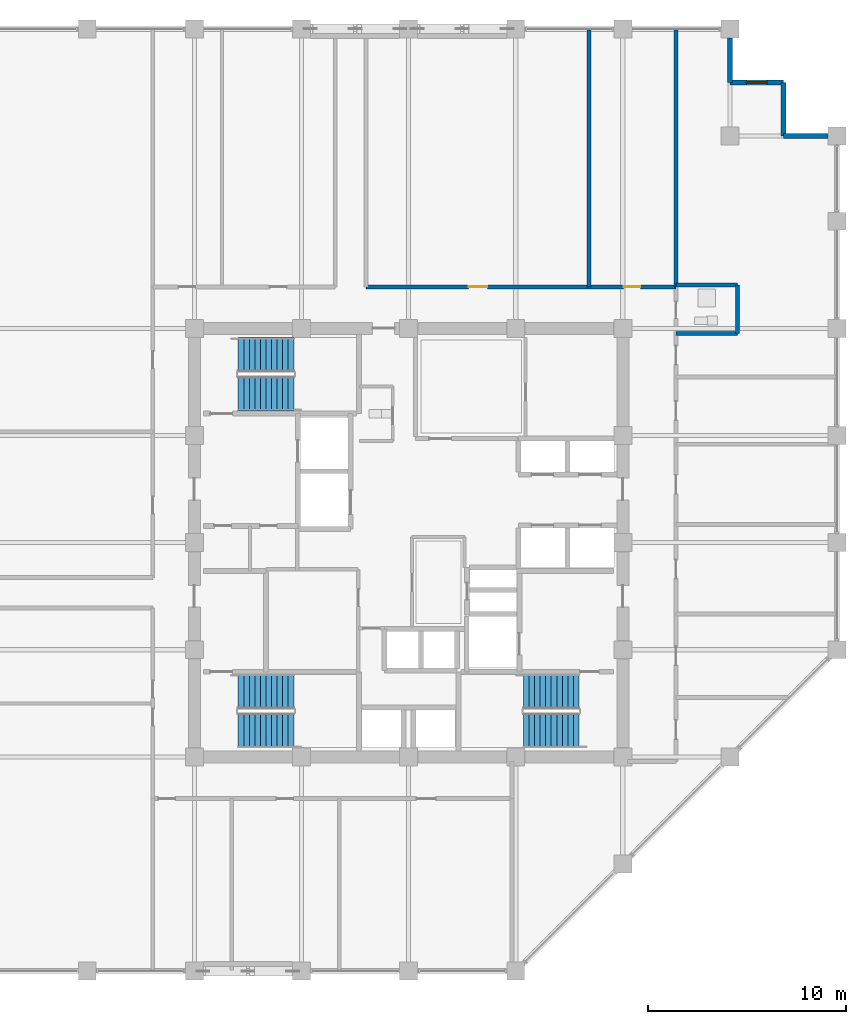
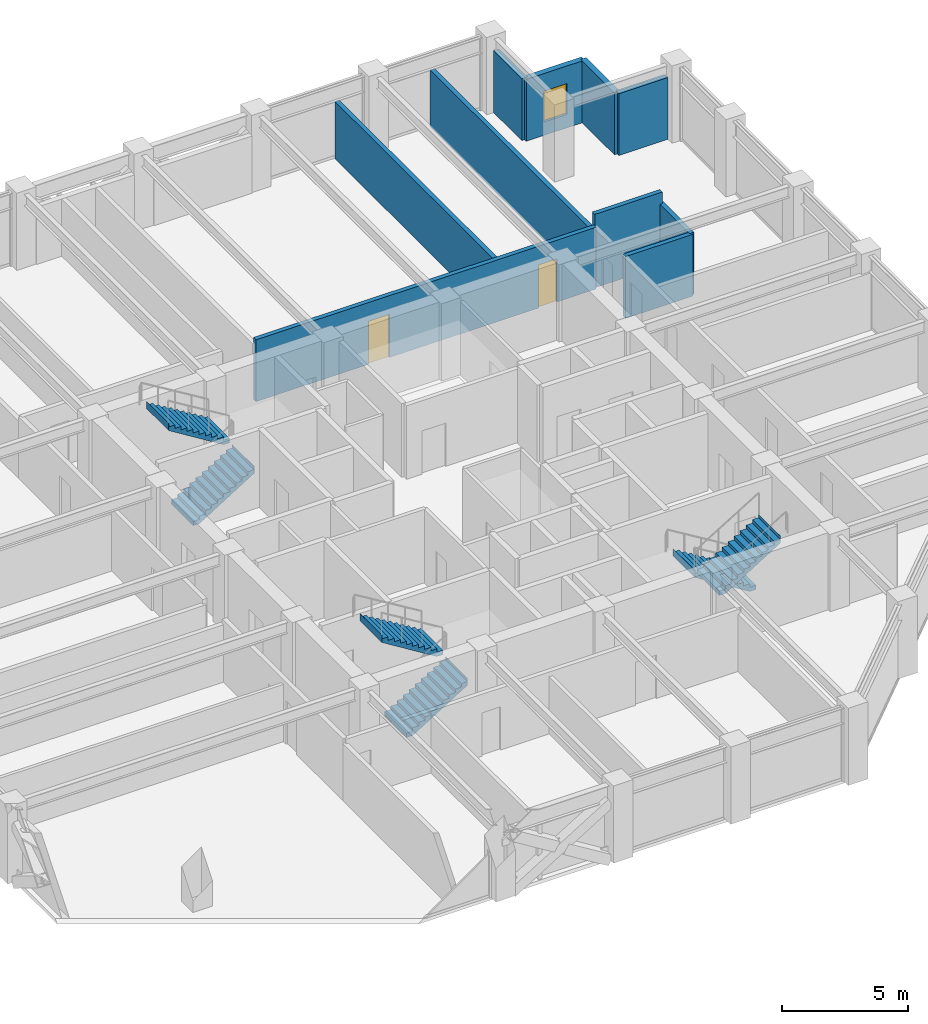
# One storey, part 30 of 32: 10 walls, 6 stair flights, 2 doors, 1 window, 3 openings, 3 elements without a shape of their own.
"""IFC4 building model written with IfcOpenShell, lengths in metres."""

import ifcopenshell
import ifcopenshell.guid

model = None  # the IFC model being written
_history = None  # IfcOwnerHistory: only IFC2X3 demands one
_inside = {}  # id of a spatial element -> (the spatial element, [elements in it])
_under = {}  # id of a project, library or spatial element -> (it, [spatial elements below it])
_declared = {}  # id of a project -> (the project, [libraries it declares])
_typed = {}  # id of a type object -> (the type object, [elements of that type])
_made_of = {}  # id of a material, layer set ... -> (it, [elements and type objects made of it])


def new_model(schema):
    """Start an empty IFC model of exactly this schema.

    Asked for "IFC4X3", IfcOpenShell would pick the latest addendum, in which some entities
    have other attributes; the version numbers below select the first issue.
    IFC2X3 requires an IfcOwnerHistory on every rooted entity: one is made here for all.
    """
    global model, _history
    if schema == "IFC4X3":
        model = ifcopenshell.file(schema_version=(4, 3, 0, 0))
    else:
        model = ifcopenshell.file(schema=schema)
    _inside.clear()
    _under.clear()
    _declared.clear()
    _typed.clear()
    _made_of.clear()
    _history = None
    if model.schema == "IFC2X3":
        org = make("IfcOrganization", Name="unknown")
        user = make(
            "IfcPersonAndOrganization",
            ThePerson=make("IfcPerson", FamilyName="unknown"),
            TheOrganization=org,
        )
        app = make(
            "IfcApplication",
            ApplicationDeveloper=org,
            Version="unknown",
            ApplicationFullName="unknown",
            ApplicationIdentifier="unknown",
        )
        _history = make(
            "IfcOwnerHistory",
            OwningUser=user,
            OwningApplication=app,
            ChangeAction="ADDED",
            CreationDate=0,
        )
    return model


def make(cls, **values):
    """One entity of the class cls with the attributes given. An attribute that is None is left unset."""
    return model.create_entity(
        cls, **{name: value for name, value in values.items() if value is not None}
    )


def rooted(cls, **values):
    """An entity with a GlobalId (a new one), such as an element, a storey or a relation."""
    return make(cls, GlobalId=ifcopenshell.guid.new(), OwnerHistory=_history, **values)


def si_unit(unit_type, name, prefix=None):
    """IfcSIUnit, for example si_unit("LENGTHUNIT", "METRE", prefix="MILLI")."""
    return make("IfcSIUnit", UnitType=unit_type, Prefix=prefix, Name=name)


def assignment(units):
    """IfcUnitAssignment: the units of a project."""
    return None if units is None else make("IfcUnitAssignment", Units=units)


def point(xyz):
    """IfcCartesianPoint."""
    return None if xyz is None else make("IfcCartesianPoint", Coordinates=xyz)


def direction(xyz):
    """IfcDirection."""
    return None if xyz is None else make("IfcDirection", DirectionRatios=xyz)


def frame(location, z_axis=None, x_axis=None):
    """IfcAxis2Placement3D, a coordinate frame: its origin and axes. An axis left out is left unset."""
    return make(
        "IfcAxis2Placement3D",
        Location=point(location),
        Axis=direction(z_axis),
        RefDirection=direction(x_axis),
    )


def frame_2d(location, x_axis=None):
    """IfcAxis2Placement2D, a coordinate frame in the plane: its origin and x axis."""
    return make(
        "IfcAxis2Placement2D", Location=point(location), RefDirection=direction(x_axis)
    )


def origin():
    """The frame at (0, 0, 0) with its axes left unset."""
    return frame((0.0, 0.0, 0.0))


def place(relative_to, where):
    """IfcLocalPlacement: puts the frame where relative to a parent placement (None: the world)."""
    return make(
        "IfcLocalPlacement", PlacementRelTo=relative_to, RelativePlacement=where
    )


def context(
    kind, dimensions, precision=None, world=None, true_north=None, identifier=None
):
    """IfcGeometricRepresentationContext, for example the 3D "Model" context."""
    return make(
        "IfcGeometricRepresentationContext",
        ContextIdentifier=identifier,
        ContextType=kind,
        CoordinateSpaceDimension=dimensions,
        Precision=precision,
        WorldCoordinateSystem=world,
        TrueNorth=true_north,
    )


def subcontext(parent, identifier, kind, view, scale=None):
    """IfcGeometricRepresentationSubContext, for example "Body" below "Model"."""
    return make(
        "IfcGeometricRepresentationSubContext",
        ContextIdentifier=identifier,
        ContextType=kind,
        ParentContext=parent,
        TargetScale=scale,
        TargetView=view,
    )


def project(units=None, contexts=None):
    """IfcProject with its units and contexts."""
    return rooted(
        "IfcProject",
        Name="project",
        RepresentationContexts=contexts,
        UnitsInContext=assignment(units),
    )


def spatial(cls, under=None, at=None, **own):
    """A site, building, storey or space (cls), placed at a placement, below another one or the project."""
    s = rooted(cls, ObjectPlacement=at, **own)
    if under is not None:
        _under.setdefault(under.id(), (under, []))[1].append(s)
    return s


def polyline(points):
    """IfcPolyline through the points."""
    return make("IfcPolyline", Points=[point(p) for p in points])


def profile(cls, at=None, kind="AREA", **sizes):
    """A parametric profile (cls). Its sizes go by their IFC names, for example OverallWidth=200.0."""
    return make(cls, ProfileType=kind, Position=at, **sizes)


def rectangle(**sizes):
    """IfcRectangleProfileDef."""
    return profile("IfcRectangleProfileDef", **sizes)


def outline(outer, holes=None, kind="AREA"):
    """IfcArbitraryClosedProfileDef: a profile drawn as a closed curve; with holes, ...WithVoids."""
    if holes is None:
        return make("IfcArbitraryClosedProfileDef", ProfileType=kind, OuterCurve=outer)
    return make(
        "IfcArbitraryProfileDefWithVoids",
        ProfileType=kind,
        OuterCurve=outer,
        InnerCurves=holes,
    )


def extrude(swept, where, along, depth):
    """IfcExtrudedAreaSolid: the profile swept, set in the frame where, extruded along a direction by depth."""
    return make(
        "IfcExtrudedAreaSolid",
        SweptArea=swept,
        Position=where,
        ExtrudedDirection=direction(along),
        Depth=depth,
    )


def shape(context_of_items, identifier, shape_type, items):
    """IfcShapeRepresentation: the items that make up one representation, for example the "Body"."""
    return make(
        "IfcShapeRepresentation",
        ContextOfItems=context_of_items,
        RepresentationIdentifier=identifier,
        RepresentationType=shape_type,
        Items=items,
    )


def material(Name=None, Category=None):
    """IfcMaterial."""
    return make("IfcMaterial", Name=Name, Category=Category)


def layer(
    of_material, thickness, ventilated=None, Name=None, Category=None, Priority=None
):
    """IfcMaterialLayer: one layer of a wall or slab, of a material (None: an air gap)."""
    return make(
        "IfcMaterialLayer",
        Material=of_material,
        LayerThickness=thickness,
        IsVentilated=ventilated,
        Name=Name,
        Category=Category,
        Priority=Priority,
    )


def layer_set(layers, Name=None):
    """IfcMaterialLayerSet."""
    return make("IfcMaterialLayerSet", MaterialLayers=layers, LayerSetName=Name)


def made_of(thing, what):
    """Note that an element or type object is made of a material, layer set ...; save() writes the relation."""
    if what is not None:
        _made_of.setdefault(what.id(), (what, []))[1].append(thing)
    return thing


def type_object(cls, material=None, **own):
    """A type object (cls), such as IfcWallType, which elements share."""
    return made_of(rooted(cls, **own), material)


def element(
    cls,
    number,
    at=None,
    inside=None,
    cuts=None,
    type_object=None,
    material=None,
    context=None,
    identifier="Body",
    shape_type=None,
    held_by="IfcProductDefinitionShape",
    body=None,
    shapes=None,
    **own,
):
    """One element of the class cls, such as IfcWall. Its Tag is "e" and its number.

    at: its placement. inside: the storey or other place that contains it. cuts: it is an
    opening in that element (IfcRelVoidsElement). A single representation is given by context,
    identifier, shape_type and body (its items); several are given by shapes. held_by: the class
    of the entity that holds the representations. save() writes the other relations.
    """
    e = rooted(cls, Tag="e%d" % number, ObjectPlacement=at, **own)
    if body is not None:
        shapes = [shape(context, identifier, shape_type, body)]
    if shapes is not None:
        e.Representation = make(held_by, Representations=shapes)
    if inside is not None:
        _inside.setdefault(inside.id(), (inside, []))[1].append(e)
    if cuts is not None:
        rooted(
            "IfcRelVoidsElement", RelatingBuildingElement=cuts, RelatedOpeningElement=e
        )
    if type_object is not None:
        _typed.setdefault(type_object.id(), (type_object, []))[1].append(e)
    return made_of(e, material)


def fill(opening, filler):
    """IfcRelFillsElement: the door or window that sits in an opening."""
    return rooted(
        "IfcRelFillsElement",
        RelatingOpeningElement=opening,
        RelatedBuildingElement=filler,
    )


def aggregate(whole, parts):
    """IfcRelAggregates: a whole, such as a stair, and the parts it consists of."""
    return rooted("IfcRelAggregates", RelatingObject=whole, RelatedObjects=parts)


def save(model, path):
    """Write the relations noted so far, then the file.

    IfcRelAggregates (storeys below a building ...), IfcRelContainedInSpatialStructure (elements
    in a storey), IfcRelDefinesByType, IfcRelAssociatesMaterial and IfcRelDeclares: one each for
    every whole, place, type object, material and project.
    """
    for whole, parts in _under.values():
        aggregate(whole, parts)
    for where, things in _inside.values():
        rooted(
            "IfcRelContainedInSpatialStructure",
            RelatedElements=things,
            RelatingStructure=where,
        )
    for kind, things in _typed.values():
        rooted("IfcRelDefinesByType", RelatedObjects=things, RelatingType=kind)
    for what, things in _made_of.values():
        rooted("IfcRelAssociatesMaterial", RelatedObjects=things, RelatingMaterial=what)
    for by, libraries in _declared.values():
        rooted("IfcRelDeclares", RelatingContext=by, RelatedDefinitions=libraries)
    model.write(path)


model = new_model("IFC4")

# Units and contexts
model_context = context("Model", 3, precision=1e-05, world=origin(), true_north=direction((0.0, 1.0)))
body_context = subcontext(model_context, "Body", "Model", "MODEL_VIEW")
ifc_project = project(units=[si_unit("LENGTHUNIT", "METRE"), si_unit("AREAUNIT", "SQUARE_METRE"), si_unit("VOLUMEUNIT", "CUBIC_METRE"), si_unit("PLANEANGLEUNIT", "RADIAN"), si_unit("MASSUNIT", "GRAM", prefix="KILO")], contexts=[model_context])

# Site, building, storey
site_placement = place(None, origin())
site = spatial("IfcSite", under=ifc_project, at=site_placement, CompositionType="ELEMENT")
building_placement = place(site_placement, origin())
building = spatial("IfcBuilding", under=site, at=building_placement, Name="Surkhivell Harbour Commons", CompositionType="ELEMENT")
storey_placement = place(building_placement, frame((0.0, 0.0, 212.25)))
storey = spatial("IfcBuildingStorey", under=building, at=storey_placement, Name="L55", CompositionType="ELEMENT", Elevation=212.25)

# Walls
ifc_material_1 = material(Name="Pale-metal insulated precast concrete C45/55", Category="concrete")
ifc_layer_1 = layer(ifc_material_1, 0.260009765625)
ifc_layer_set_1 = layer_set([ifc_layer_1], Name="Pale-metal insulated precast concrete C45/55")
wall_type_1 = type_object("IfcWallType", Name="WAL-EXT-MTL260", PredefinedType="STANDARD", material=ifc_layer_set_1)
wall_1_placement = place(storey_placement, frame((21.152099609375, 20.5, 0.0), z_axis=(0.0, 0.0, 1.0), x_axis=(-1.0, 0.0, 0.0)))
element("IfcWall", 1, at=wall_1_placement, inside=storey, type_object=wall_type_1, Name="L55 Serrated Corner Facade Wall 03", PredefinedType="STANDARD", context=body_context, shape_type="SweptSolid", body=[
    extrude(rectangle(XDim=2.252197265625, YDim=0.260009765625, at=frame_2d((1.1259765625, 0.0))), origin(), (0.0, 0.0, 1.0), 3.006103515625),
])
wall_2_placement = place(storey_placement, frame((18.89990234375, 20.5, 0.0), z_axis=(0.0, 0.0, 1.0), x_axis=(0.0, 1.0, 0.0)))
element("IfcWall", 2, at=wall_2_placement, inside=storey, type_object=wall_type_1, Name="L55 Serrated Corner Facade Wall 04", PredefinedType="STANDARD", context=body_context, shape_type="SweptSolid", body=[
    extrude(rectangle(XDim=2.699951171875, YDim=0.260009765625, at=frame_2d((1.35009765625, 0.0))), origin(), (0.0, 0.0, 1.0), 3.006103515625),
])

# Wall, opening, window
wall_3_placement = place(storey_placement, frame((18.89990234375, 23.199951171875, 0.0), z_axis=(0.0, 0.0, 1.0), x_axis=(-1.0, 0.0, 0.0)))
wall_3 = element("IfcWall", 3, at=wall_3_placement, inside=storey, type_object=wall_type_1, Name="L55 Serrated Corner Facade Wall 05", PredefinedType="STANDARD", context=body_context, shape_type="SweptSolid", body=[
    extrude(rectangle(XDim=2.699951171875, YDim=0.260009765625, at=frame_2d((1.35009765625, 0.0))), origin(), (0.0, 0.0, 1.0), 3.006103515625),
])
opening_1_placement = place(wall_3_placement, frame((0.824951171875, 0.0, 0.64990234375)))
opening_1 = element("IfcOpeningElement", 4, at=opening_1_placement, cuts=wall_3, Name="Opening WN-11", PredefinedType="OPENING", context=body_context, shape_type="SweptSolid", body=[
    extrude(rectangle(XDim=1.050048828125, YDim=1.5, at=frame_2d((0.52490234375, 0.75))), frame((0.0, 0.139892578125, 0.0), z_axis=(0.0, -1.0, 0.0), x_axis=(1.0, 0.0, 0.0)), (0.0, 0.0, 1.0), 0.280029296875),
])
ifc_material_2 = material(Name="Thermal-break aluminium frame and double low-E glazing", Category="aluminium")
window_type = type_object("IfcWindowType", Name="WIN-SER-1050x1500", PartitioningType="SINGLE_PANEL", PredefinedType="WINDOW", material=ifc_material_2)
window_placement = place(opening_1_placement, origin())
window = element("IfcWindow", 5, at=window_placement, inside=storey, type_object=window_type, Name="L55 Serrated Alcove Window 05", OverallHeight=1.5, OverallWidth=1.050048828125, PartitioningType="SINGLE_PANEL", PredefinedType="WINDOW", context=body_context, shape_type="SweptSolid", body=[
    extrude(rectangle(XDim=1.050048828125, YDim=1.5, at=frame_2d((0.52490234375, 0.75))), frame((0.0, 0.030029296875, 0.0), z_axis=(0.0, -1.0, 0.0), x_axis=(1.0, 0.0, 0.0)), (0.0, 0.0, 1.0), 0.06005859375),
])
fill(opening_1, window)

# Walls
wall_4_placement = place(storey_placement, frame((16.199951171875, 23.199951171875, 0.0), z_axis=(0.0, 0.0, 1.0), x_axis=(0.0, 1.0, 0.0)))
element("IfcWall", 6, at=wall_4_placement, inside=storey, type_object=wall_type_1, Name="L55 Serrated Corner Facade Wall 06", PredefinedType="STANDARD", context=body_context, shape_type="SweptSolid", body=[
    extrude(rectangle(XDim=2.251953125, YDim=0.260009765625, at=frame_2d((1.1259765625, 0.0))), origin(), (0.0, 0.0, 1.0), 3.006103515625),
])
ifc_material_3 = material(Name="Autoclaved aerated concrete blockwork and fire plaster", Category="masonry")
ifc_layer_2 = layer(ifc_material_3, 0.199951171875)
ifc_layer_set_2 = layer_set([ifc_layer_2], Name="Autoclaved aerated concrete blockwork and fire plaster")
wall_type_2 = type_object("IfcWallType", Name="WAL-INT-200", PredefinedType="PARTITIONING", material=ifc_layer_set_2)
wall_5_placement = place(storey_placement, frame((13.47998046875, 12.89990234375, 0.0), z_axis=(0.0, 0.0, 1.0), x_axis=(0.0, 1.0, 0.0)))
element("IfcWall", 7, at=wall_5_placement, inside=storey, type_object=wall_type_2, Name="L55 North-East Corner Wall", PredefinedType="PARTITIONING", context=body_context, shape_type="SweptSolid", body=[
    extrude(rectangle(XDim=12.940185546875, YDim=0.199951171875, at=frame_2d((6.47021484375, 0.0))), origin(), (0.0, 0.0, 1.0), 2.780029296875),
])

# Wall, openings, doors
wall_6_placement = place(storey_placement, frame((-2.14990234375, 12.89990234375, 0.0), z_axis=(0.0, 0.0, 1.0), x_axis=(1.0, 0.0, 0.0)))
wall_6 = element("IfcWall", 8, at=wall_6_placement, inside=storey, type_object=wall_type_2, Name="L55 Corridor North-East Wall", PredefinedType="PARTITIONING", context=body_context, shape_type="SweptSolid", body=[
    extrude(rectangle(XDim=15.6298828125, YDim=0.199951171875, at=frame_2d((7.81494140625, 0.0))), origin(), (0.0, 0.0, 1.0), 3.006103515625),
])
opening_2_placement = place(wall_6_placement, frame((5.175048828125, 0.0, 0.0)))
opening_2 = element("IfcOpeningElement", 9, at=opening_2_placement, cuts=wall_6, Name="Opening ID-4", PredefinedType="OPENING", context=body_context, shape_type="SweptSolid", body=[
    extrude(rectangle(XDim=0.949951171875, YDim=2.10009765625, at=frame_2d((0.47509765625, 1.050048828125))), frame((0.0, 0.10986328125, 0.0), z_axis=(0.0, -1.0, 0.0), x_axis=(1.0, 0.0, 0.0)), (0.0, 0.0, 1.0), 0.219970703125),
])
opening_3_placement = place(wall_6_placement, frame((12.989990234375, 0.0, 0.0)))
opening_3 = element("IfcOpeningElement", 10, at=opening_3_placement, cuts=wall_6, Name="Opening ID-6", PredefinedType="OPENING", context=body_context, shape_type="SweptSolid", body=[
    extrude(rectangle(XDim=0.85009765625, YDim=2.10009765625, at=frame_2d((0.425048828125, 1.050048828125))), frame((0.0, 0.10986328125, 0.0), z_axis=(0.0, -1.0, 0.0), x_axis=(1.0, 0.0, 0.0)), (0.0, 0.0, 1.0), 0.219970703125),
])
ifc_material_4 = material(Name="Hardwood-veneered fire-rated door leaf", Category="wood")
door_type_1 = type_object("IfcDoorType", Name="DOR-FD30-850", OperationType="NOTDEFINED", PredefinedType="DOOR", material=ifc_material_4)
door_1_placement = place(opening_3_placement, origin())
door_1 = element("IfcDoor", 11, at=door_1_placement, inside=storey, type_object=door_type_1, Name="L55 Resident Advisory Reception Desk North-East Door", OperationType="SINGLE_SWING_RIGHT", OverallHeight=2.10009765625, OverallWidth=0.85009765625, PredefinedType="DOOR", context=body_context, shape_type="SweptSolid", body=[
    extrude(rectangle(XDim=0.85009765625, YDim=2.10009765625, at=frame_2d((0.425048828125, 1.050048828125))), frame((0.0, 0.02490234375, 0.0), z_axis=(0.0, -1.0, 0.0), x_axis=(1.0, 0.0, 0.0)), (0.0, 0.0, 1.0), 0.050048828125),
])
fill(opening_3, door_1)
door_type_2 = type_object("IfcDoorType", Name="DOR-FD60-950", OperationType="NOTDEFINED", PredefinedType="DOOR", material=ifc_material_4)
door_2_placement = place(opening_2_placement, origin())
door_2 = element("IfcDoor", 12, at=door_2_placement, inside=storey, type_object=door_type_2, Name="L55 Zone Concierge Reception Foyer North-East Door", OperationType="SINGLE_SWING_LEFT", OverallHeight=2.10009765625, OverallWidth=0.949951171875, PredefinedType="DOOR", context=body_context, shape_type="SweptSolid", body=[
    extrude(rectangle(XDim=0.949951171875, YDim=2.10009765625, at=frame_2d((0.47509765625, 1.050048828125))), frame((0.0, 0.02490234375, 0.0), z_axis=(0.0, -1.0, 0.0), x_axis=(1.0, 0.0, 0.0)), (0.0, 0.0, 1.0), 0.050048828125),
])
fill(opening_2, door_2)

# Walls
wall_7_placement = place(storey_placement, frame((16.580078125, 10.550048828125, 0.0), z_axis=(0.0, 0.0, 1.0), x_axis=(0.0, 1.0, 0.0)))
element("IfcWall", 13, at=wall_7_placement, inside=storey, type_object=wall_type_2, Name="L55 East Partition BTHB", PredefinedType="PARTITIONING", context=body_context, shape_type="SweptSolid", body=[
    extrude(rectangle(XDim=2.449951171875, YDim=0.199951171875, at=frame_2d((1.22509765625, 0.0))), origin(), (0.0, 0.0, 1.0), 3.006103515625),
])
wall_8_placement = place(storey_placement, frame((13.47998046875, 13.0, 0.0), z_axis=(0.0, 0.0, 1.0), x_axis=(1.0, 0.0, 0.0)))
element("IfcWall", 14, at=wall_8_placement, inside=storey, type_object=wall_type_2, Name="L55 East Partition BTHN", PredefinedType="PARTITIONING", context=body_context, shape_type="SweptSolid", body=[
    extrude(rectangle(XDim=3.10009765625, YDim=0.199951171875, at=frame_2d((1.550048828125, 0.0))), origin(), (0.0, 0.0, 1.0), 3.570068359375),
])
wall_9_placement = place(storey_placement, frame((13.47998046875, 10.550048828125, 0.0), z_axis=(0.0, 0.0, 1.0), x_axis=(1.0, 0.0, 0.0)))
element("IfcWall", 15, at=wall_9_placement, inside=storey, type_object=wall_type_2, Name="L55 East Partition BTHS", PredefinedType="PARTITIONING", context=body_context, shape_type="SweptSolid", body=[
    extrude(rectangle(XDim=3.10009765625, YDim=0.199951171875, at=frame_2d((1.550048828125, 0.0))), origin(), (0.0, 0.0, 1.0), 3.006103515625),
])
wall_10_placement = place(storey_placement, frame((9.10009765625, 12.89990234375, 0.0), z_axis=(0.0, 0.0, 1.0), x_axis=(0.0, 1.0, 0.0)))
element("IfcWall", 16, at=wall_10_placement, inside=storey, type_object=wall_type_2, Name="L55 North-East Partition P1", PredefinedType="PARTITIONING", context=body_context, shape_type="SweptSolid", body=[
    extrude(rectangle(XDim=12.940185546875, YDim=0.199951171875, at=frame_2d((6.47021484375, 0.0))), origin(), (0.0, 0.0, 1.0), 2.780029296875),
])

# Stair, stair flights
ifc_material_5 = material(Name="Precast concrete C45/55", Category="concrete")
stair_type = type_object("IfcStairType", Name="STR-DL-375", PredefinedType="HALF_TURN_STAIR", material=ifc_material_5)
stair_1_placement = place(storey_placement, origin())
stair_1 = element("IfcStair", 17, at=stair_1_placement, inside=storey, type_object=stair_type, Name="L55 Core Exit Stair ST1", PredefinedType="HALF_TURN_STAIR")
stair_flight_type = type_object("IfcStairFlightType", Name="STF-DL-375", PredefinedType="STRAIGHT", material=ifc_material_5)
stair_flight_1_placement = place(storey_placement, frame((-8.590087890625, 7.514892578125, 0.0), z_axis=(0.0, 0.0, 1.0), x_axis=(1.0, 0.0, 0.0)))
stair_flight_1 = element("IfcStairFlight", 18, at=stair_flight_1_placement, type_object=stair_flight_type, Name="ST1 flight 1", NumberOfRisers=11, NumberOfTreads=10, PredefinedType="STRAIGHT", RiserHeight=0.170454545, TreadLength=0.28, context=body_context, shape_type="SweptSolid", body=[
    extrude(outline(polyline([(-0.0029296875, -0.034912109375), (-0.0029296875, 0.0), (0.0, 0.0), (0.0, 0.17041015625), (0.280029296875, 0.17041015625), (0.280029296875, 0.3408203125), (0.56005859375, 0.3408203125), (0.56005859375, 0.511474609375), (0.840087890625, 0.511474609375), (0.840087890625, 0.681884765625), (1.1201171875, 0.681884765625), (1.1201171875, 0.852294921875), (1.39990234375, 0.852294921875), (1.39990234375, 1.022705078125), (1.679931640625, 1.022705078125), (1.679931640625, 1.193115234375), (1.9599609375, 1.193115234375), (1.9599609375, 1.363525390625), (2.239990234375, 1.363525390625), (2.239990234375, 1.5341796875), (2.52001953125, 1.5341796875), (2.52001953125, 1.70458984375), (2.800048828125, 1.70458984375), (2.800048828125, 1.875), (2.802978515625, 1.875), (2.802978515625, 1.529052734375), (0.288330078125, -0.034912109375), (-0.0029296875, -0.034912109375)])), frame((0.0, 0.875, 0.0), z_axis=(0.0, -1.0, 0.0), x_axis=(1.0, 0.0, 0.0)), (0.0, 0.0, 1.0), 1.75),
])
stair_flight_2_placement = place(storey_placement, frame((-5.7900390625, 9.465087890625, 1.875), z_axis=(0.0, 0.0, 1.0), x_axis=(-1.0, 0.0, 0.0)))
stair_flight_2 = element("IfcStairFlight", 19, at=stair_flight_2_placement, type_object=stair_flight_type, Name="ST1 flight 2", NumberOfRisers=11, NumberOfTreads=10, PredefinedType="STRAIGHT", RiserHeight=0.170454545, TreadLength=0.28, context=body_context, shape_type="SweptSolid", body=[
    extrude(outline(polyline([(-0.0029296875, -0.034912109375), (-0.0029296875, 0.0), (0.0, 0.0), (0.0, 0.17041015625), (0.280029296875, 0.17041015625), (0.280029296875, 0.3408203125), (0.56005859375, 0.3408203125), (0.56005859375, 0.511474609375), (0.840087890625, 0.511474609375), (0.840087890625, 0.681884765625), (1.1201171875, 0.681884765625), (1.1201171875, 0.852294921875), (1.39990234375, 0.852294921875), (1.39990234375, 1.022705078125), (1.679931640625, 1.022705078125), (1.679931640625, 1.193115234375), (1.9599609375, 1.193115234375), (1.9599609375, 1.363525390625), (2.239990234375, 1.363525390625), (2.239990234375, 1.5341796875), (2.52001953125, 1.5341796875), (2.52001953125, 1.70458984375), (2.800048828125, 1.70458984375), (2.800048828125, 1.875), (2.802978515625, 1.875), (2.802978515625, 1.529052734375), (0.288330078125, -0.034912109375), (-0.0029296875, -0.034912109375)])), frame((0.0, 0.875, 0.0), z_axis=(0.0, -1.0, 0.0), x_axis=(1.0, 0.0, 0.0)), (0.0, 0.0, 1.0), 1.75),
])
aggregate(stair_1, [stair_flight_1, stair_flight_2])

stair_2_placement = place(storey_placement, origin())
stair_2 = element("IfcStair", 20, at=stair_2_placement, inside=storey, type_object=stair_type, Name="L55 Core Exit Stair ST2", PredefinedType="HALF_TURN_STAIR")
stair_flight_3_placement = place(storey_placement, frame((8.590087890625, -7.514892578125, 0.0), z_axis=(0.0, 0.0, 1.0), x_axis=(-1.0, 0.0, 0.0)))
stair_flight_3 = element("IfcStairFlight", 21, at=stair_flight_3_placement, type_object=stair_flight_type, Name="ST2 flight 1", NumberOfRisers=11, NumberOfTreads=10, PredefinedType="STRAIGHT", RiserHeight=0.170454545, TreadLength=0.28, context=body_context, shape_type="SweptSolid", body=[
    extrude(outline(polyline([(-0.0029296875, -0.034912109375), (-0.0029296875, 0.0), (0.0, 0.0), (0.0, 0.17041015625), (0.280029296875, 0.17041015625), (0.280029296875, 0.3408203125), (0.56005859375, 0.3408203125), (0.56005859375, 0.511474609375), (0.840087890625, 0.511474609375), (0.840087890625, 0.681884765625), (1.1201171875, 0.681884765625), (1.1201171875, 0.852294921875), (1.39990234375, 0.852294921875), (1.39990234375, 1.022705078125), (1.679931640625, 1.022705078125), (1.679931640625, 1.193115234375), (1.9599609375, 1.193115234375), (1.9599609375, 1.363525390625), (2.239990234375, 1.363525390625), (2.239990234375, 1.5341796875), (2.52001953125, 1.5341796875), (2.52001953125, 1.70458984375), (2.800048828125, 1.70458984375), (2.800048828125, 1.875), (2.802978515625, 1.875), (2.802978515625, 1.529052734375), (0.288330078125, -0.034912109375), (-0.0029296875, -0.034912109375)])), frame((0.0, 0.875, 0.0), z_axis=(0.0, -1.0, 0.0), x_axis=(1.0, 0.0, 0.0)), (0.0, 0.0, 1.0), 1.75),
])
stair_flight_4_placement = place(storey_placement, frame((5.7900390625, -9.465087890625, 1.875), z_axis=(0.0, 0.0, 1.0), x_axis=(1.0, 0.0, 0.0)))
stair_flight_4 = element("IfcStairFlight", 22, at=stair_flight_4_placement, type_object=stair_flight_type, Name="ST2 flight 2", NumberOfRisers=11, NumberOfTreads=10, PredefinedType="STRAIGHT", RiserHeight=0.170454545, TreadLength=0.28, context=body_context, shape_type="SweptSolid", body=[
    extrude(outline(polyline([(-0.0029296875, -0.034912109375), (-0.0029296875, 0.0), (0.0, 0.0), (0.0, 0.17041015625), (0.280029296875, 0.17041015625), (0.280029296875, 0.3408203125), (0.56005859375, 0.3408203125), (0.56005859375, 0.511474609375), (0.840087890625, 0.511474609375), (0.840087890625, 0.681884765625), (1.1201171875, 0.681884765625), (1.1201171875, 0.852294921875), (1.39990234375, 0.852294921875), (1.39990234375, 1.022705078125), (1.679931640625, 1.022705078125), (1.679931640625, 1.193115234375), (1.9599609375, 1.193115234375), (1.9599609375, 1.363525390625), (2.239990234375, 1.363525390625), (2.239990234375, 1.5341796875), (2.52001953125, 1.5341796875), (2.52001953125, 1.70458984375), (2.800048828125, 1.70458984375), (2.800048828125, 1.875), (2.802978515625, 1.875), (2.802978515625, 1.529052734375), (0.288330078125, -0.034912109375), (-0.0029296875, -0.034912109375)])), frame((0.0, 0.875, 0.0), z_axis=(0.0, -1.0, 0.0), x_axis=(1.0, 0.0, 0.0)), (0.0, 0.0, 1.0), 1.75),
])
aggregate(stair_2, [stair_flight_3, stair_flight_4])

stair_3_placement = place(storey_placement, origin())
stair_3 = element("IfcStair", 23, at=stair_3_placement, inside=storey, type_object=stair_type, Name="L55 Core Exit Stair ST3", PredefinedType="HALF_TURN_STAIR")
stair_flight_5_placement = place(storey_placement, frame((-8.590087890625, -9.465087890625, 0.0), z_axis=(0.0, 0.0, 1.0), x_axis=(1.0, 0.0, 0.0)))
stair_flight_5 = element("IfcStairFlight", 24, at=stair_flight_5_placement, type_object=stair_flight_type, Name="ST3 flight 1", NumberOfRisers=11, NumberOfTreads=10, PredefinedType="STRAIGHT", RiserHeight=0.170454545, TreadLength=0.28, context=body_context, shape_type="SweptSolid", body=[
    extrude(outline(polyline([(-0.0029296875, -0.034912109375), (-0.0029296875, 0.0), (0.0, 0.0), (0.0, 0.17041015625), (0.280029296875, 0.17041015625), (0.280029296875, 0.3408203125), (0.56005859375, 0.3408203125), (0.56005859375, 0.511474609375), (0.840087890625, 0.511474609375), (0.840087890625, 0.681884765625), (1.1201171875, 0.681884765625), (1.1201171875, 0.852294921875), (1.39990234375, 0.852294921875), (1.39990234375, 1.022705078125), (1.679931640625, 1.022705078125), (1.679931640625, 1.193115234375), (1.9599609375, 1.193115234375), (1.9599609375, 1.363525390625), (2.239990234375, 1.363525390625), (2.239990234375, 1.5341796875), (2.52001953125, 1.5341796875), (2.52001953125, 1.70458984375), (2.800048828125, 1.70458984375), (2.800048828125, 1.875), (2.802978515625, 1.875), (2.802978515625, 1.529052734375), (0.288330078125, -0.034912109375), (-0.0029296875, -0.034912109375)])), frame((0.0, 0.875, 0.0), z_axis=(0.0, -1.0, 0.0), x_axis=(1.0, 0.0, 0.0)), (0.0, 0.0, 1.0), 1.75),
])
stair_flight_6_placement = place(storey_placement, frame((-5.7900390625, -7.514892578125, 1.875), z_axis=(0.0, 0.0, 1.0), x_axis=(-1.0, 0.0, 0.0)))
stair_flight_6 = element("IfcStairFlight", 25, at=stair_flight_6_placement, type_object=stair_flight_type, Name="ST3 flight 2", NumberOfRisers=11, NumberOfTreads=10, PredefinedType="STRAIGHT", RiserHeight=0.170454545, TreadLength=0.28, context=body_context, shape_type="SweptSolid", body=[
    extrude(outline(polyline([(-0.0029296875, -0.034912109375), (-0.0029296875, 0.0), (0.0, 0.0), (0.0, 0.17041015625), (0.280029296875, 0.17041015625), (0.280029296875, 0.3408203125), (0.56005859375, 0.3408203125), (0.56005859375, 0.511474609375), (0.840087890625, 0.511474609375), (0.840087890625, 0.681884765625), (1.1201171875, 0.681884765625), (1.1201171875, 0.852294921875), (1.39990234375, 0.852294921875), (1.39990234375, 1.022705078125), (1.679931640625, 1.022705078125), (1.679931640625, 1.193115234375), (1.9599609375, 1.193115234375), (1.9599609375, 1.363525390625), (2.239990234375, 1.363525390625), (2.239990234375, 1.5341796875), (2.52001953125, 1.5341796875), (2.52001953125, 1.70458984375), (2.800048828125, 1.70458984375), (2.800048828125, 1.875), (2.802978515625, 1.875), (2.802978515625, 1.529052734375), (0.288330078125, -0.034912109375), (-0.0029296875, -0.034912109375)])), frame((0.0, 0.875, 0.0), z_axis=(0.0, -1.0, 0.0), x_axis=(1.0, 0.0, 0.0)), (0.0, 0.0, 1.0), 1.75),
])
aggregate(stair_3, [stair_flight_5, stair_flight_6])

save(model, "model.ifc")
